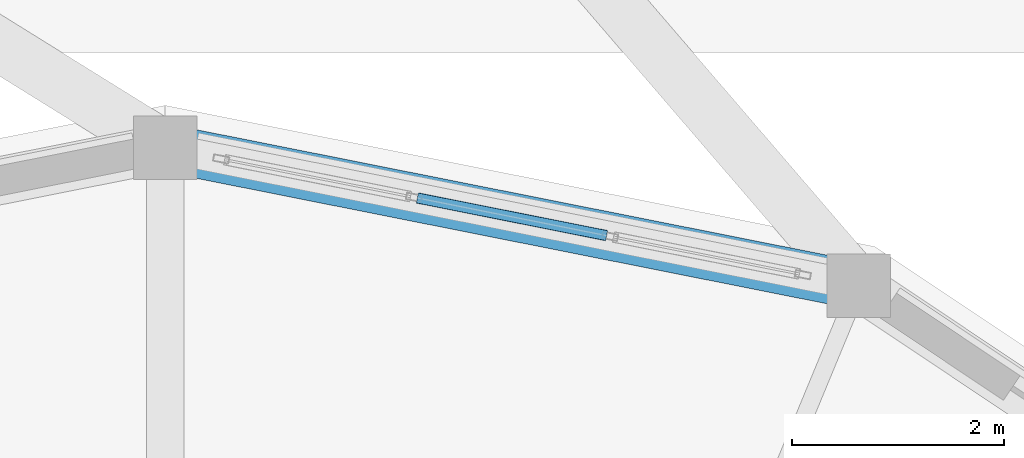
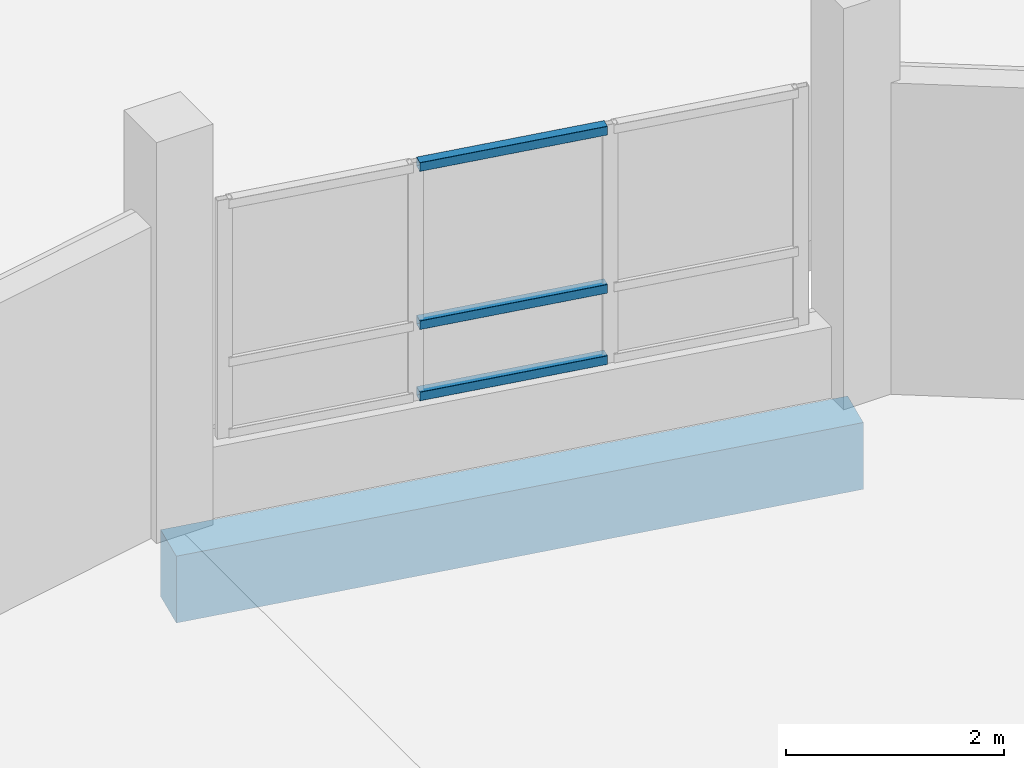
# One storey, part 80 of 129: 3 members, 1 beam, 1 element without a shape of its own.
"""IFC4 building model written with IfcOpenShell, lengths in metres."""

from ifc_helpers import new_model, si_unit, direction, frame, origin, origin_2d, place, context, subcontext, project, spatial, rectangle, hollow_rectangle, extrude, material, layer, layer_set, material_profile, profile_set, type_object, element, aggregate, save


model = new_model("IFC4")

# Units and contexts
model_context = context("Model", 3, precision=1e-05, world=origin(), true_north=direction((0.0, 1.0)))
body_context = subcontext(model_context, "Body", "Model", "MODEL_VIEW")
ifc_project = project(units=[si_unit("LENGTHUNIT", "METRE"), si_unit("AREAUNIT", "SQUARE_METRE"), si_unit("VOLUMEUNIT", "CUBIC_METRE"), si_unit("PLANEANGLEUNIT", "RADIAN"), si_unit("MASSUNIT", "GRAM", prefix="KILO")], contexts=[model_context])

# Site, building, storey
site_placement = place(None, origin())
site = spatial("IfcSite", under=ifc_project, at=site_placement, CompositionType="ELEMENT")
building_placement = place(site_placement, origin())
building = spatial("IfcBuilding", under=site, at=building_placement, Name="Vespera Passage Community Centre", CompositionType="ELEMENT")
storey_placement = place(building_placement, origin())
storey = spatial("IfcBuildingStorey", under=building, at=storey_placement, Name="L00", CompositionType="ELEMENT", Elevation=0.0)

# Beam
ifc_material_1 = material(Name="Concrete f'c 35 MPa", Category="concrete")
ifc_material_profile_1 = material_profile(ifc_material_1, rectangle(XDim=0.449951171875, YDim=0.75, at=origin_2d()), Name="RC450X750")
ifc_profile_set_1 = profile_set([ifc_material_profile_1], Name="Concrete f'c 35 MPa")
beam_type = type_object("IfcBeamType", Name="BM-SP-450X750E", PredefinedType="SPANDREL", material=ifc_profile_set_1)
beam_placement = place(storey_placement, frame((147.5439453125, 40.79833984375, -0.655029296875), z_axis=(-0.980782809509, 0.195102743632, 0.0), x_axis=(-0.195102743632, -0.980782809509, 0.0)))
element("IfcBeam", 1, at=beam_placement, inside=storey, type_object=beam_type, Name="V3 L00 Spandrel 4", PredefinedType="SPANDREL", context=body_context, shape_type="SweptSolid", body=[
    extrude(rectangle(XDim=0.449951171875, YDim=0.75, at=origin_2d()), origin(), (0.0, 0.0, 1.0), 6.672119140625),
])

# Curtain wall, members
ifc_material_2 = material(Name="Anodized aluminium 6063-T6", Category="aluminium")
ifc_layer = layer(ifc_material_2, 0.159912109375)
ifc_layer_set = layer_set([ifc_layer], Name="Anodized aluminium 6063-T6")
curtain_wall_type = type_object("IfcCurtainWallType", Name="CW-101E", PredefinedType="NOTDEFINED", material=ifc_layer_set)
curtain_wall_placement = place(storey_placement, origin())
curtain_wall = element("IfcCurtainWall", 2, at=curtain_wall_placement, inside=storey, type_object=curtain_wall_type, Name="Dining Drum Ribbon Curtain Wall L00.4", PredefinedType="NOTDEFINED")
ifc_material_3 = material(Name="Anodized aluminium 6063-T6", Category="aluminium")
ifc_material_profile_2 = material_profile(ifc_material_3, hollow_rectangle(XDim=0.10009765625, YDim=0.10009765625, WallThickness=0.00390625, InnerFilletRadius=0.001953125, OuterFilletRadius=0.00390625, at=origin_2d()), Name="ALU100X100X4")
ifc_profile_set_2 = profile_set([ifc_material_profile_2], Name="Anodized aluminium 6063-T6")
member_type = type_object("IfcMemberType", Name="MB-CWT-100E", PredefinedType="USERDEFINED", material=ifc_profile_set_2)
member_1_placement = place(storey_placement, frame((143.378662109375, 41.626953125, 0.85009765625), z_axis=(0.980776065507, -0.195136642714, 0.0), x_axis=(0.195136642714, 0.980776065507, 0.0)))
member_1 = element("IfcMember", 3, at=member_1_placement, type_object=member_type, Name="CW-101E transom 2.1", ObjectType="TRANSOM", PredefinedType="USERDEFINED", context=body_context, shape_type="SweptSolid", body=[
    extrude(hollow_rectangle(XDim=0.10009765625, YDim=0.10009765625, WallThickness=0.00390625, InnerFilletRadius=0.001953125, OuterFilletRadius=0.00390625, at=origin_2d()), origin(), (0.0, 0.0, 1.0), 1.821533203125),
])
member_2_placement = place(storey_placement, frame((143.378662109375, 41.626953125, 1.64990234375), z_axis=(0.980776065507, -0.195136642714, 0.0), x_axis=(0.195136642714, 0.980776065507, 0.0)))
member_2 = element("IfcMember", 4, at=member_2_placement, type_object=member_type, Name="CW-101E transom 2.2", ObjectType="TRANSOM", PredefinedType="USERDEFINED", context=body_context, shape_type="SweptSolid", body=[
    extrude(hollow_rectangle(XDim=0.10009765625, YDim=0.10009765625, WallThickness=0.00390625, InnerFilletRadius=0.001953125, OuterFilletRadius=0.00390625, at=origin_2d()), origin(), (0.0, 0.0, 1.0), 1.821533203125),
])
member_3_placement = place(storey_placement, frame((143.378662109375, 41.626953125, 3.425048828125), z_axis=(0.980776065507, -0.195136642714, 0.0), x_axis=(0.195136642714, 0.980776065507, 0.0)))
member_3 = element("IfcMember", 5, at=member_3_placement, type_object=member_type, Name="CW-101E transom 2.3", ObjectType="TRANSOM", PredefinedType="USERDEFINED", context=body_context, shape_type="SweptSolid", body=[
    extrude(hollow_rectangle(XDim=0.10009765625, YDim=0.10009765625, WallThickness=0.00390625, InnerFilletRadius=0.001953125, OuterFilletRadius=0.00390625, at=origin_2d()), origin(), (0.0, 0.0, 1.0), 1.821533203125),
])
aggregate(curtain_wall, [member_1, member_2, member_3])

save(model, "model.ifc")
